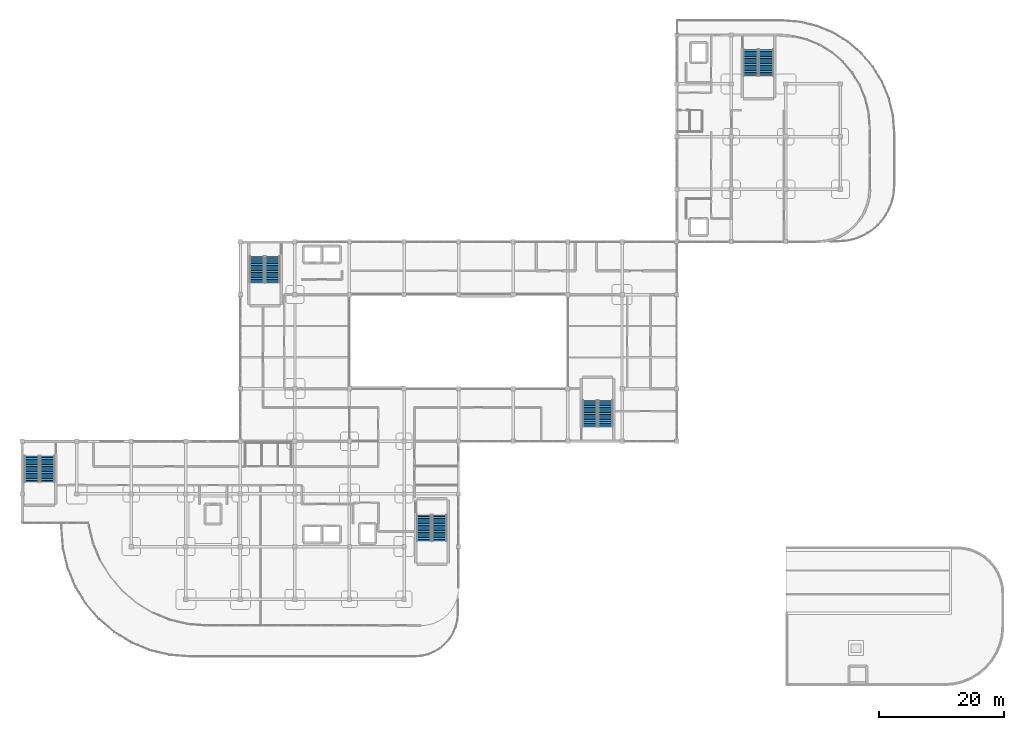
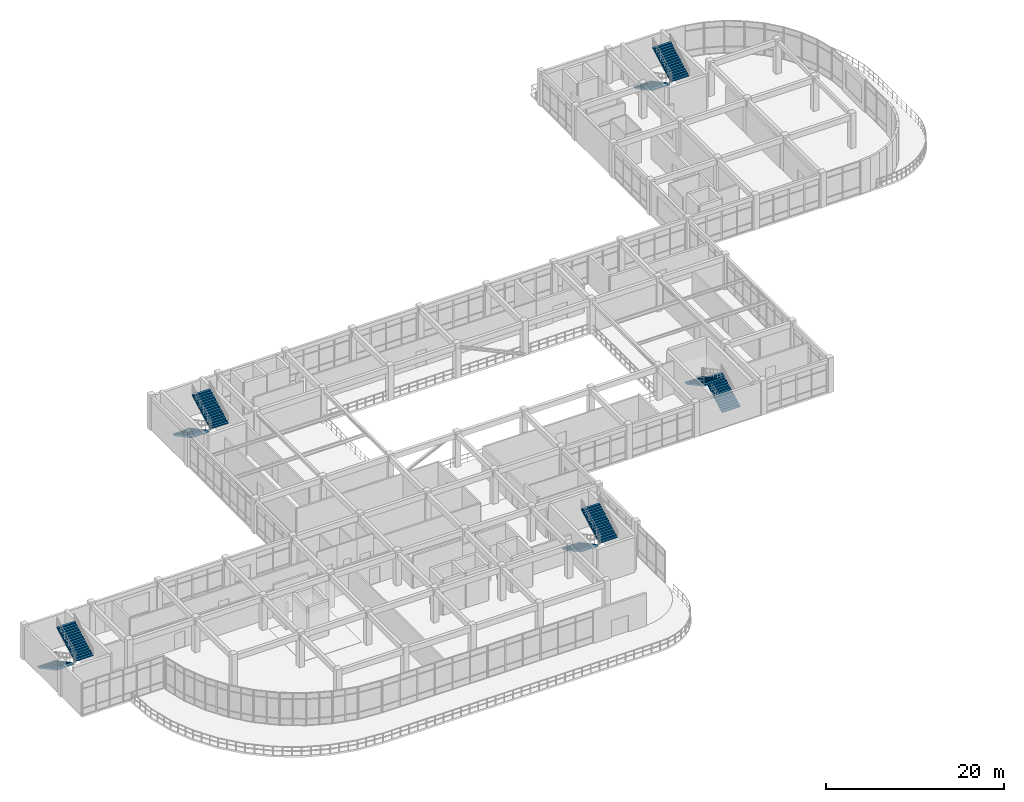
# One storey, part 66 of 76: 10 stair flights, 5 elements without a shape of their own.
"""IFC4 building model written with IfcOpenShell, lengths in metres."""

from ifc_helpers import new_model, si_unit, derived_unit, direction, frame, origin, place, context, subcontext, project, spatial, polyline, outline, extrude, material, type_object, element, aggregate, save


model = new_model("IFC4")

# Units and contexts
model_context = context("Model", 3, precision=1e-05, world=origin(), true_north=direction((0.0, 1.0)))
body_context = subcontext(model_context, "Body", "Model", "MODEL_VIEW")
ifc_project = project(units=[si_unit("LENGTHUNIT", "METRE"), si_unit("AREAUNIT", "SQUARE_METRE"), si_unit("VOLUMEUNIT", "CUBIC_METRE"), si_unit("PLANEANGLEUNIT", "RADIAN"), si_unit("MASSUNIT", "GRAM", prefix="KILO"), derived_unit("THERMALTRANSMITTANCEUNIT", [(si_unit("MASSUNIT", "GRAM", prefix="KILO"), 1), (si_unit("TIMEUNIT", "SECOND"), -3), (si_unit("THERMODYNAMICTEMPERATUREUNIT", "KELVIN"), -1)])], contexts=[model_context])

# Site, building, storey
site_placement = place(None, origin())
site = spatial("IfcSite", under=ifc_project, at=site_placement, CompositionType="ELEMENT")
building_placement = place(site_placement, origin())
building = spatial("IfcBuilding", under=site, at=building_placement, Name="Qinzheling Arcade Emporium", CompositionType="ELEMENT")
storey_placement = place(building_placement, frame((0.0, 0.0, 26.699951171875)))
storey = spatial("IfcBuildingStorey", under=building, at=storey_placement, Name="L06", CompositionType="ELEMENT", Elevation=26.699951171875)

# Stair, stair flights
ifc_material = material(Name="Concrete C40", Category="concrete")
stair_type = type_object("IfcStairType", Name="Cast-in-Situ Dog-Leg Escape Stair H4800", PredefinedType="HALF_TURN_STAIR", material=ifc_material)
stair_1_placement = place(storey_placement, origin())
stair_1 = element("IfcStair", 1, at=stair_1_placement, inside=storey, type_object=stair_type, Name="L06 ST01", PredefinedType="HALF_TURN_STAIR")
stair_flight_type = type_object("IfcStairFlightType", Name="Cast-in-Situ Straight Stair Flight 150x280 H4800", PredefinedType="STRAIGHT", material=ifc_material)
stair_flight_1_placement = place(storey_placement, frame((64.110107421875, 30.280029296875, 0.0), z_axis=(0.0, 0.0, 1.0), x_axis=(0.0, -1.0, 0.0)))
stair_flight_1 = element("IfcStairFlight", 2, at=stair_flight_1_placement, type_object=stair_flight_type, Name="ST01 flight 1", NumberOfRisers=16, NumberOfTreads=15, PredefinedType="STRAIGHT", RiserHeight=0.15, TreadLength=0.28, context=body_context, shape_type="SweptSolid", body=[
    extrude(outline(polyline([(0.0, 0.0), (0.0, 0.14990234375), (0.280029296875, 0.14990234375), (0.280029296875, 0.300048828125), (0.56005859375, 0.300048828125), (0.56005859375, 0.449951171875), (0.840087890625, 0.449951171875), (0.840087890625, 0.60009765625), (1.1201171875, 0.60009765625), (1.1201171875, 0.75), (1.39990234375, 0.75), (1.39990234375, 0.89990234375), (1.679931640625, 0.89990234375), (1.679931640625, 1.050048828125), (1.9599609375, 1.050048828125), (1.9599609375, 1.199951171875), (2.239990234375, 1.199951171875), (2.239990234375, 1.35009765625), (2.52001953125, 1.35009765625), (2.52001953125, 1.5), (2.800048828125, 1.5), (2.800048828125, 1.64990234375), (3.080078125, 1.64990234375), (3.080078125, 1.800048828125), (3.360107421875, 1.800048828125), (3.360107421875, 1.949951171875), (3.639892578125, 1.949951171875), (3.639892578125, 2.10009765625), (3.919921875, 2.10009765625), (3.919921875, 2.25), (4.199951171875, 2.25), (4.199951171875, 2.39990234375), (4.199951171875, 2.068603515625), (0.338623046875, 0.0), (0.0, 0.0)])), frame((0.0, 1.16015625, 0.0), z_axis=(0.0, -1.0, 0.0), x_axis=(1.0, 0.0, 0.0)), (0.0, 0.0, 1.0), 2.320068359375),
])
stair_flight_2_placement = place(storey_placement, frame((66.580078125, 26.080078125, 2.400146484375), z_axis=(0.0, 0.0, 1.0), x_axis=(0.0, 1.0, 0.0)))
stair_flight_2 = element("IfcStairFlight", 3, at=stair_flight_2_placement, type_object=stair_flight_type, Name="ST01 flight 2", NumberOfRisers=16, NumberOfTreads=15, PredefinedType="STRAIGHT", RiserHeight=0.15, TreadLength=0.28, context=body_context, shape_type="SweptSolid", body=[
    extrude(outline(polyline([(0.0, 0.0), (0.0, 0.14990234375), (0.280029296875, 0.14990234375), (0.280029296875, 0.300048828125), (0.56005859375, 0.300048828125), (0.56005859375, 0.449951171875), (0.840087890625, 0.449951171875), (0.840087890625, 0.60009765625), (1.1201171875, 0.60009765625), (1.1201171875, 0.75), (1.39990234375, 0.75), (1.39990234375, 0.89990234375), (1.679931640625, 0.89990234375), (1.679931640625, 1.050048828125), (1.9599609375, 1.050048828125), (1.9599609375, 1.199951171875), (2.239990234375, 1.199951171875), (2.239990234375, 1.35009765625), (2.52001953125, 1.35009765625), (2.52001953125, 1.5), (2.800048828125, 1.5), (2.800048828125, 1.64990234375), (3.080078125, 1.64990234375), (3.080078125, 1.800048828125), (3.360107421875, 1.800048828125), (3.360107421875, 1.949951171875), (3.639892578125, 1.949951171875), (3.639892578125, 2.10009765625), (3.919921875, 2.10009765625), (3.919921875, 2.25), (4.199951171875, 2.25), (4.199951171875, 2.39990234375), (4.199951171875, 2.068603515625), (0.338623046875, 0.0), (0.0, 0.0)])), frame((0.0, 1.16015625, 0.0), z_axis=(0.0, -1.0, 0.0), x_axis=(1.0, 0.0, 0.0)), (0.0, 0.0, 1.0), 2.320068359375),
])
aggregate(stair_1, [stair_flight_1, stair_flight_2])

stair_2_placement = place(storey_placement, origin())
stair_2 = element("IfcStair", 4, at=stair_2_placement, inside=storey, type_object=stair_type, Name="L06 ST02", PredefinedType="HALF_TURN_STAIR")
stair_flight_3_placement = place(storey_placement, frame((1.56005859375, 39.679931640625, 0.0), z_axis=(0.0, 0.0, 1.0), x_axis=(0.0, -1.0, 0.0)))
stair_flight_3 = element("IfcStairFlight", 5, at=stair_flight_3_placement, type_object=stair_flight_type, Name="ST02 flight 1", NumberOfRisers=16, NumberOfTreads=15, PredefinedType="STRAIGHT", RiserHeight=0.15, TreadLength=0.28, context=body_context, shape_type="SweptSolid", body=[
    extrude(outline(polyline([(0.0, 0.0), (0.0, 0.14990234375), (0.280029296875, 0.14990234375), (0.280029296875, 0.300048828125), (0.56005859375, 0.300048828125), (0.56005859375, 0.449951171875), (0.840087890625, 0.449951171875), (0.840087890625, 0.60009765625), (1.1201171875, 0.60009765625), (1.1201171875, 0.75), (1.39990234375, 0.75), (1.39990234375, 0.89990234375), (1.679931640625, 0.89990234375), (1.679931640625, 1.050048828125), (1.9599609375, 1.050048828125), (1.9599609375, 1.199951171875), (2.239990234375, 1.199951171875), (2.239990234375, 1.35009765625), (2.52001953125, 1.35009765625), (2.52001953125, 1.5), (2.800048828125, 1.5), (2.800048828125, 1.64990234375), (3.080078125, 1.64990234375), (3.080078125, 1.800048828125), (3.360107421875, 1.800048828125), (3.360107421875, 1.949951171875), (3.639892578125, 1.949951171875), (3.639892578125, 2.10009765625), (3.919921875, 2.10009765625), (3.919921875, 2.25), (4.199951171875, 2.25), (4.199951171875, 2.39990234375), (4.199951171875, 2.068603515625), (0.338623046875, 0.0), (0.0, 0.0)])), frame((0.0, 1.16015625, 0.0), z_axis=(0.0, -1.0, 0.0), x_axis=(1.0, 0.0, 0.0)), (0.0, 0.0, 1.0), 2.320068359375),
])
stair_flight_4_placement = place(storey_placement, frame((4.030029296875, 35.47998046875, 2.400146484375), z_axis=(0.0, 0.0, 1.0), x_axis=(0.0, 1.0, 0.0)))
stair_flight_4 = element("IfcStairFlight", 6, at=stair_flight_4_placement, type_object=stair_flight_type, Name="ST02 flight 2", NumberOfRisers=16, NumberOfTreads=15, PredefinedType="STRAIGHT", RiserHeight=0.15, TreadLength=0.28, context=body_context, shape_type="SweptSolid", body=[
    extrude(outline(polyline([(0.0, 0.0), (0.0, 0.14990234375), (0.280029296875, 0.14990234375), (0.280029296875, 0.300048828125), (0.56005859375, 0.300048828125), (0.56005859375, 0.449951171875), (0.840087890625, 0.449951171875), (0.840087890625, 0.60009765625), (1.1201171875, 0.60009765625), (1.1201171875, 0.75), (1.39990234375, 0.75), (1.39990234375, 0.89990234375), (1.679931640625, 0.89990234375), (1.679931640625, 1.050048828125), (1.9599609375, 1.050048828125), (1.9599609375, 1.199951171875), (2.239990234375, 1.199951171875), (2.239990234375, 1.35009765625), (2.52001953125, 1.35009765625), (2.52001953125, 1.5), (2.800048828125, 1.5), (2.800048828125, 1.64990234375), (3.080078125, 1.64990234375), (3.080078125, 1.800048828125), (3.360107421875, 1.800048828125), (3.360107421875, 1.949951171875), (3.639892578125, 1.949951171875), (3.639892578125, 2.10009765625), (3.919921875, 2.10009765625), (3.919921875, 2.25), (4.199951171875, 2.25), (4.199951171875, 2.39990234375), (4.199951171875, 2.068603515625), (0.338623046875, 0.0), (0.0, 0.0)])), frame((0.0, 1.16015625, 0.0), z_axis=(0.0, -1.0, 0.0), x_axis=(1.0, 0.0, 0.0)), (0.0, 0.0, 1.0), 2.320068359375),
])
aggregate(stair_2, [stair_flight_3, stair_flight_4])

stair_3_placement = place(storey_placement, origin())
stair_3 = element("IfcStair", 7, at=stair_3_placement, inside=storey, type_object=stair_type, Name="L06 ST03", PredefinedType="HALF_TURN_STAIR")
stair_flight_5_placement = place(storey_placement, frame((37.4599609375, 71.47998046875, 0.0), z_axis=(0.0, 0.0, 1.0), x_axis=(0.0, -1.0, 0.0)))
stair_flight_5 = element("IfcStairFlight", 8, at=stair_flight_5_placement, type_object=stair_flight_type, Name="ST03 flight 1", NumberOfRisers=16, NumberOfTreads=15, PredefinedType="STRAIGHT", RiserHeight=0.15, TreadLength=0.28, context=body_context, shape_type="SweptSolid", body=[
    extrude(outline(polyline([(0.0, 0.0), (0.0, 0.14990234375), (0.280029296875, 0.14990234375), (0.280029296875, 0.300048828125), (0.56005859375, 0.300048828125), (0.56005859375, 0.449951171875), (0.840087890625, 0.449951171875), (0.840087890625, 0.60009765625), (1.1201171875, 0.60009765625), (1.1201171875, 0.75), (1.39990234375, 0.75), (1.39990234375, 0.89990234375), (1.679931640625, 0.89990234375), (1.679931640625, 1.050048828125), (1.9599609375, 1.050048828125), (1.9599609375, 1.199951171875), (2.239990234375, 1.199951171875), (2.239990234375, 1.35009765625), (2.52001953125, 1.35009765625), (2.52001953125, 1.5), (2.800048828125, 1.5), (2.800048828125, 1.64990234375), (3.080078125, 1.64990234375), (3.080078125, 1.800048828125), (3.360107421875, 1.800048828125), (3.360107421875, 1.949951171875), (3.639892578125, 1.949951171875), (3.639892578125, 2.10009765625), (3.919921875, 2.10009765625), (3.919921875, 2.25), (4.199951171875, 2.25), (4.199951171875, 2.39990234375), (4.199951171875, 2.068603515625), (0.338623046875, 0.0), (0.0, 0.0)])), frame((0.0, 1.16015625, 0.0), z_axis=(0.0, -1.0, 0.0), x_axis=(1.0, 0.0, 0.0)), (0.0, 0.0, 1.0), 2.320068359375),
])
stair_flight_6_placement = place(storey_placement, frame((39.929931640625, 67.280029296875, 2.400146484375), z_axis=(0.0, 0.0, 1.0), x_axis=(0.0, 1.0, 0.0)))
stair_flight_6 = element("IfcStairFlight", 9, at=stair_flight_6_placement, type_object=stair_flight_type, Name="ST03 flight 2", NumberOfRisers=16, NumberOfTreads=15, PredefinedType="STRAIGHT", RiserHeight=0.15, TreadLength=0.28, context=body_context, shape_type="SweptSolid", body=[
    extrude(outline(polyline([(0.0, 0.0), (0.0, 0.14990234375), (0.280029296875, 0.14990234375), (0.280029296875, 0.300048828125), (0.56005859375, 0.300048828125), (0.56005859375, 0.449951171875), (0.840087890625, 0.449951171875), (0.840087890625, 0.60009765625), (1.1201171875, 0.60009765625), (1.1201171875, 0.75), (1.39990234375, 0.75), (1.39990234375, 0.89990234375), (1.679931640625, 0.89990234375), (1.679931640625, 1.050048828125), (1.9599609375, 1.050048828125), (1.9599609375, 1.199951171875), (2.239990234375, 1.199951171875), (2.239990234375, 1.35009765625), (2.52001953125, 1.35009765625), (2.52001953125, 1.5), (2.800048828125, 1.5), (2.800048828125, 1.64990234375), (3.080078125, 1.64990234375), (3.080078125, 1.800048828125), (3.360107421875, 1.800048828125), (3.360107421875, 1.949951171875), (3.639892578125, 1.949951171875), (3.639892578125, 2.10009765625), (3.919921875, 2.10009765625), (3.919921875, 2.25), (4.199951171875, 2.25), (4.199951171875, 2.39990234375), (4.199951171875, 2.068603515625), (0.338623046875, 0.0), (0.0, 0.0)])), frame((0.0, 1.16015625, 0.0), z_axis=(0.0, -1.0, 0.0), x_axis=(1.0, 0.0, 0.0)), (0.0, 0.0, 1.0), 2.320068359375),
])
aggregate(stair_3, [stair_flight_5, stair_flight_6])

stair_4_placement = place(storey_placement, origin())
stair_4 = element("IfcStair", 10, at=stair_4_placement, inside=storey, type_object=stair_type, Name="L06 ST04", PredefinedType="HALF_TURN_STAIR")
stair_flight_7_placement = place(storey_placement, frame((93.030029296875, 44.320068359375, 0.0), z_axis=(0.0, 0.0, 1.0), x_axis=(0.0, 1.0, 0.0)))
stair_flight_7 = element("IfcStairFlight", 11, at=stair_flight_7_placement, type_object=stair_flight_type, Name="ST04 flight 1", NumberOfRisers=16, NumberOfTreads=15, PredefinedType="STRAIGHT", RiserHeight=0.15, TreadLength=0.28, context=body_context, shape_type="SweptSolid", body=[
    extrude(outline(polyline([(0.0, 0.0), (0.0, 0.14990234375), (0.280029296875, 0.14990234375), (0.280029296875, 0.300048828125), (0.56005859375, 0.300048828125), (0.56005859375, 0.449951171875), (0.840087890625, 0.449951171875), (0.840087890625, 0.60009765625), (1.1201171875, 0.60009765625), (1.1201171875, 0.75), (1.39990234375, 0.75), (1.39990234375, 0.89990234375), (1.679931640625, 0.89990234375), (1.679931640625, 1.050048828125), (1.9599609375, 1.050048828125), (1.9599609375, 1.199951171875), (2.239990234375, 1.199951171875), (2.239990234375, 1.35009765625), (2.52001953125, 1.35009765625), (2.52001953125, 1.5), (2.800048828125, 1.5), (2.800048828125, 1.64990234375), (3.080078125, 1.64990234375), (3.080078125, 1.800048828125), (3.360107421875, 1.800048828125), (3.360107421875, 1.949951171875), (3.639892578125, 1.949951171875), (3.639892578125, 2.10009765625), (3.919921875, 2.10009765625), (3.919921875, 2.25), (4.199951171875, 2.25), (4.199951171875, 2.39990234375), (4.199951171875, 2.068603515625), (0.338623046875, 0.0), (0.0, 0.0)])), frame((0.0, 1.16015625, 0.0), z_axis=(0.0, -1.0, 0.0), x_axis=(1.0, 0.0, 0.0)), (0.0, 0.0, 1.0), 2.320068359375),
])
stair_flight_8_placement = place(storey_placement, frame((90.56005859375, 48.52001953125, 2.400146484375), z_axis=(0.0, 0.0, 1.0), x_axis=(0.0, -1.0, 0.0)))
stair_flight_8 = element("IfcStairFlight", 12, at=stair_flight_8_placement, type_object=stair_flight_type, Name="ST04 flight 2", NumberOfRisers=16, NumberOfTreads=15, PredefinedType="STRAIGHT", RiserHeight=0.15, TreadLength=0.28, context=body_context, shape_type="SweptSolid", body=[
    extrude(outline(polyline([(0.0, 0.0), (0.0, 0.14990234375), (0.280029296875, 0.14990234375), (0.280029296875, 0.300048828125), (0.56005859375, 0.300048828125), (0.56005859375, 0.449951171875), (0.840087890625, 0.449951171875), (0.840087890625, 0.60009765625), (1.1201171875, 0.60009765625), (1.1201171875, 0.75), (1.39990234375, 0.75), (1.39990234375, 0.89990234375), (1.679931640625, 0.89990234375), (1.679931640625, 1.050048828125), (1.9599609375, 1.050048828125), (1.9599609375, 1.199951171875), (2.239990234375, 1.199951171875), (2.239990234375, 1.35009765625), (2.52001953125, 1.35009765625), (2.52001953125, 1.5), (2.800048828125, 1.5), (2.800048828125, 1.64990234375), (3.080078125, 1.64990234375), (3.080078125, 1.800048828125), (3.360107421875, 1.800048828125), (3.360107421875, 1.949951171875), (3.639892578125, 1.949951171875), (3.639892578125, 2.10009765625), (3.919921875, 2.10009765625), (3.919921875, 2.25), (4.199951171875, 2.25), (4.199951171875, 2.39990234375), (4.199951171875, 2.068603515625), (0.338623046875, 0.0), (0.0, 0.0)])), frame((0.0, 1.16015625, 0.0), z_axis=(0.0, -1.0, 0.0), x_axis=(1.0, 0.0, 0.0)), (0.0, 0.0, 1.0), 2.320068359375),
])
aggregate(stair_4, [stair_flight_7, stair_flight_8])

stair_5_placement = place(storey_placement, origin())
stair_5 = element("IfcStair", 13, at=stair_5_placement, inside=storey, type_object=stair_type, Name="L06 ST08", PredefinedType="HALF_TURN_STAIR")
stair_flight_9_placement = place(storey_placement, frame((116.215087890625, 104.47998046875, 0.0), z_axis=(0.0, 0.0, 1.0), x_axis=(0.0, -1.0, 0.0)))
stair_flight_9 = element("IfcStairFlight", 14, at=stair_flight_9_placement, type_object=stair_flight_type, Name="ST08 flight 1", NumberOfRisers=16, NumberOfTreads=15, PredefinedType="STRAIGHT", RiserHeight=0.15, TreadLength=0.28, context=body_context, shape_type="SweptSolid", body=[
    extrude(outline(polyline([(0.0, 0.0), (0.0, 0.14990234375), (0.280029296875, 0.14990234375), (0.280029296875, 0.300048828125), (0.56005859375, 0.300048828125), (0.56005859375, 0.449951171875), (0.840087890625, 0.449951171875), (0.840087890625, 0.60009765625), (1.1201171875, 0.60009765625), (1.1201171875, 0.75), (1.39990234375, 0.75), (1.39990234375, 0.89990234375), (1.679931640625, 0.89990234375), (1.679931640625, 1.050048828125), (1.9599609375, 1.050048828125), (1.9599609375, 1.199951171875), (2.239990234375, 1.199951171875), (2.239990234375, 1.35009765625), (2.52001953125, 1.35009765625), (2.52001953125, 1.5), (2.800048828125, 1.5), (2.800048828125, 1.64990234375), (3.080078125, 1.64990234375), (3.080078125, 1.800048828125), (3.360107421875, 1.800048828125), (3.360107421875, 1.949951171875), (3.639892578125, 1.949951171875), (3.639892578125, 2.10009765625), (3.919921875, 2.10009765625), (3.919921875, 2.25), (4.199951171875, 2.25), (4.199951171875, 2.39990234375), (4.199951171875, 2.068603515625), (0.338623046875, 0.0), (0.0, 0.0)])), frame((0.0, 1.16015625, 0.0), z_axis=(0.0, -1.0, 0.0), x_axis=(1.0, 0.0, 0.0)), (0.0, 0.0, 1.0), 2.320068359375),
])
stair_flight_10_placement = place(storey_placement, frame((118.68505859375, 100.280029296875, 2.400146484375), z_axis=(0.0, 0.0, 1.0), x_axis=(0.0, 1.0, 0.0)))
stair_flight_10 = element("IfcStairFlight", 15, at=stair_flight_10_placement, type_object=stair_flight_type, Name="ST08 flight 2", NumberOfRisers=16, NumberOfTreads=15, PredefinedType="STRAIGHT", RiserHeight=0.15, TreadLength=0.28, context=body_context, shape_type="SweptSolid", body=[
    extrude(outline(polyline([(0.0, 0.0), (0.0, 0.14990234375), (0.280029296875, 0.14990234375), (0.280029296875, 0.300048828125), (0.56005859375, 0.300048828125), (0.56005859375, 0.449951171875), (0.840087890625, 0.449951171875), (0.840087890625, 0.60009765625), (1.1201171875, 0.60009765625), (1.1201171875, 0.75), (1.39990234375, 0.75), (1.39990234375, 0.89990234375), (1.679931640625, 0.89990234375), (1.679931640625, 1.050048828125), (1.9599609375, 1.050048828125), (1.9599609375, 1.199951171875), (2.239990234375, 1.199951171875), (2.239990234375, 1.35009765625), (2.52001953125, 1.35009765625), (2.52001953125, 1.5), (2.800048828125, 1.5), (2.800048828125, 1.64990234375), (3.080078125, 1.64990234375), (3.080078125, 1.800048828125), (3.360107421875, 1.800048828125), (3.360107421875, 1.949951171875), (3.639892578125, 1.949951171875), (3.639892578125, 2.10009765625), (3.919921875, 2.10009765625), (3.919921875, 2.25), (4.199951171875, 2.25), (4.199951171875, 2.39990234375), (4.199951171875, 2.068603515625), (0.338623046875, 0.0), (0.0, 0.0)])), frame((0.0, 1.16015625, 0.0), z_axis=(0.0, -1.0, 0.0), x_axis=(1.0, 0.0, 0.0)), (0.0, 0.0, 1.0), 2.320068359375),
])
aggregate(stair_5, [stair_flight_9, stair_flight_10])

save(model, "model.ifc")
